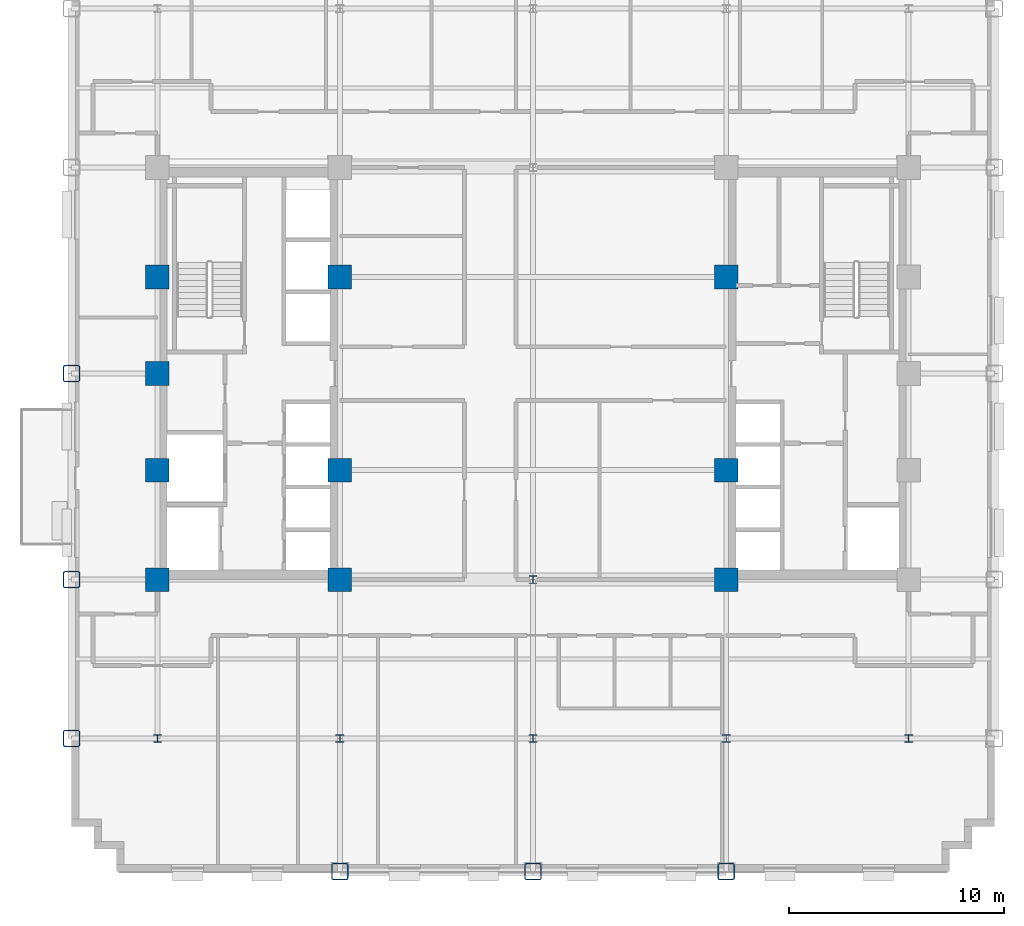
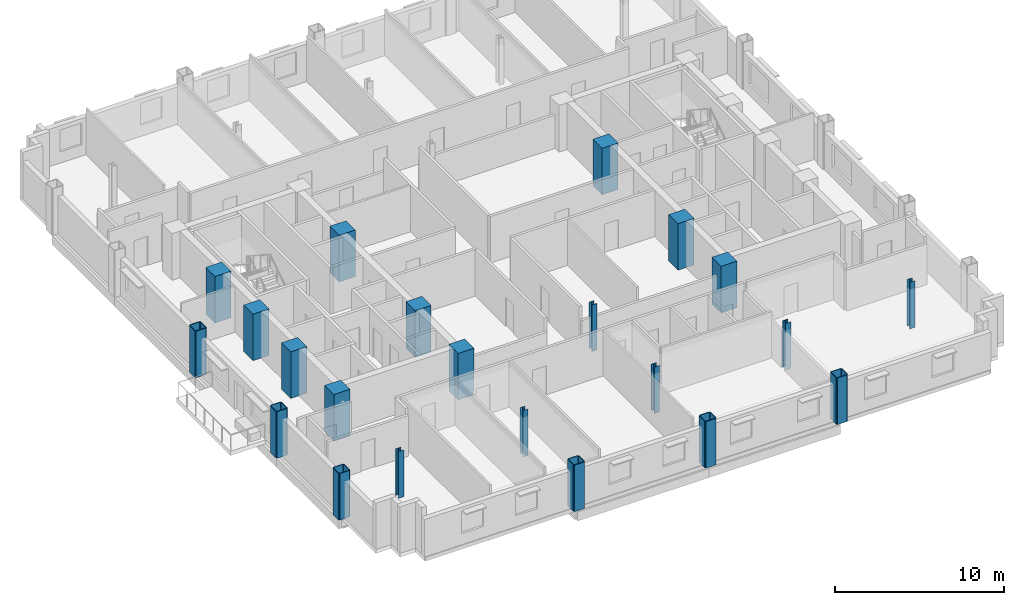
# One storey, part 1 of 14: 22 columns.
"""IFC4 building model written with IfcOpenShell, lengths in metres."""

from ifc_helpers import new_model, si_unit, direction, frame, origin, origin_2d, place, context, subcontext, project, spatial, rectangle, hollow_rectangle, i_section, extrude, material, material_profile, profile_set, type_object, element, save


model = new_model("IFC4")

# Units and contexts
model_context = context("Model", 3, precision=1e-05, world=origin(), true_north=direction((0.0, 1.0)))
body_context = subcontext(model_context, "Body", "Model", "MODEL_VIEW")
ifc_project = project(units=[si_unit("LENGTHUNIT", "METRE"), si_unit("AREAUNIT", "SQUARE_METRE"), si_unit("VOLUMEUNIT", "CUBIC_METRE"), si_unit("PLANEANGLEUNIT", "RADIAN"), si_unit("MASSUNIT", "GRAM", prefix="KILO")], contexts=[model_context])

# Site, building, storey
site_placement = place(None, origin())
site = spatial("IfcSite", under=ifc_project, at=site_placement, CompositionType="ELEMENT")
building_placement = place(site_placement, origin())
building = spatial("IfcBuilding", under=site, at=building_placement, Name="Nuvemarco Arch Tower", CompositionType="ELEMENT")
storey_placement = place(building_placement, frame((0.0, 0.0, 64.10009765625)))
storey = spatial("IfcBuildingStorey", under=building, at=storey_placement, Name="L16", CompositionType="ELEMENT", Elevation=64.10009765625)

# Columns
ifc_material_1 = material(Name="Concrete C60/75", Category="concrete")
ifc_material_profile_1 = material_profile(ifc_material_1, rectangle(XDim=1.10009765625, YDim=1.10009765625, at=origin_2d()), Name="RC-COL-1100x1100")
ifc_profile_set_1 = profile_set([ifc_material_profile_1], Name="Concrete C60/75")
column_type_1 = type_object("IfcColumnType", Name="COL-CORE-1100", PredefinedType="COLUMN", material=ifc_profile_set_1)
for number, where, z_axis, x_axis, name in (
    (1, (-17.5, -9.60009765625, 0.0), (0.0, 0.0, 1.0), (1.0, 0.0, 0.0), "L16 column CC_-17.5_-9.6"),
    (2, (-17.5, -4.5, 0.0), (0.0, 0.0, 1.0), (1.0, 0.0, 0.0), "L16 column CC_-17.5_-4.5"),
    (3, (-17.5, 4.5, 0.0), (0.0, 0.0, 1.0), (1.0, 0.0, 0.0), "L16 column CC_-17.5_+4.5"),
    (4, (-9.0, -9.60009765625, 0.0), (0.0, 0.0, 1.0), (1.0, 0.0, 0.0), "L16 column CC_-9.0_-9.6"),
    (5, (-9.0, -4.5, 0.0), (0.0, 0.0, 1.0), (1.0, 0.0, 0.0), "L16 column CC_-9.0_-4.5"),
    (6, (-9.0, 4.5, 0.0), (0.0, 0.0, 1.0), (1.0, 0.0, 0.0), "L16 column CC_-9.0_+4.5"),
    (7, (9.0, -9.60009765625, 0.0), (0.0, 0.0, 1.0), (1.0, 0.0, 0.0), "L16 column CC_+9.0_-9.6"),
    (8, (9.0, -4.5, 0.0), (0.0, 0.0, 1.0), (1.0, 0.0, 0.0), "L16 column CC_+9.0_-4.5"),
    (9, (9.0, 4.5, 0.0), (0.0, 0.0, 1.0), (1.0, 0.0, 0.0), "L16 column CC_+9.0_+4.5"),
    (10, (-17.5, 0.0, 0.0), (0.0, 0.0, 1.0), (1.0, 0.0, 0.0), "L16 column CC_-17.5_+0.0"),
):
    element("IfcColumn", number, at=place(storey_placement, frame(where, z_axis=z_axis, x_axis=x_axis)), inside=storey, type_object=column_type_1, Name=name, PredefinedType="COLUMN", context=body_context, shape_type="SweptSolid", body=[
        extrude(rectangle(XDim=1.10009765625, YDim=1.10009765625, at=origin_2d()), origin(), (0.0, 0.0, 1.0), 3.369873046875),
    ])
ifc_material_2 = material(Name="Steel S460", Category="steel")
ifc_material_profile_2 = material_profile(ifc_material_2, hollow_rectangle(XDim=0.800048828125, YDim=0.800048828125, WallThickness=0.054931640625, InnerFilletRadius=0.054931640625, OuterFilletRadius=0.110107421875, at=origin_2d()), Name="SHS800x800x55")
ifc_profile_set_2 = profile_set([ifc_material_profile_2], Name="Steel S460")
column_type_2 = type_object("IfcColumnType", Name="COL-EXO-800", PredefinedType="COLUMN", material=ifc_profile_set_2)
for number, where, z_axis, x_axis, name in (
    (11, (-21.5, -17.0, 0.0), (0.0, 0.0, 1.0), (1.0, 0.0, 0.0), "L16 column CX_-21.5_-17.0"),
    (12, (-21.5, -9.60009765625, 0.0), (0.0, 0.0, 1.0), (1.0, 0.0, 0.0), "L16 column CX_-21.5_-9.6"),
    (13, (-21.5, 0.0, 0.0), (0.0, 0.0, 1.0), (1.0, 0.0, 0.0), "L16 column CX_-21.5_+0.0"),
    (14, (-9.0, -23.199951171875, 0.0), (0.0, 0.0, 1.0), (1.0, 0.0, 0.0), "L16 column CY_-9.0_-23.2"),
    (15, (0.0, -23.199951171875, 0.0), (0.0, 0.0, 1.0), (1.0, 0.0, 0.0), "L16 column CY_+0.0_-23.2"),
    (16, (9.0, -23.199951171875, 0.0), (0.0, 0.0, 1.0), (1.0, 0.0, 0.0), "L16 column CY_+9.0_-23.2"),
):
    element("IfcColumn", number, at=place(storey_placement, frame(where, z_axis=z_axis, x_axis=x_axis)), inside=storey, type_object=column_type_2, Name=name, PredefinedType="COLUMN", context=body_context, shape_type="SweptSolid", body=[
        extrude(hollow_rectangle(XDim=0.800048828125, YDim=0.800048828125, WallThickness=0.054931640625, InnerFilletRadius=0.054931640625, OuterFilletRadius=0.110107421875, at=origin_2d()), origin(), (0.0, 0.0, 1.0), 3.369873046875),
    ])
ifc_material_3 = material(Name="Steel S355", Category="steel")
ifc_material_profile_3 = material_profile(ifc_material_3, i_section(OverallWidth=0.360107421875, OverallDepth=0.360107421875, WebThickness=0.0205078125, FlangeThickness=0.0205078125, FilletRadius=0.01806640625, at=origin_2d()), Name="HP360x174")
ifc_profile_set_3 = profile_set([ifc_material_profile_3], Name="Steel S355")
column_type_3 = type_object("IfcColumnType", Name="COL-STL-HP360", PredefinedType="COLUMN", material=ifc_profile_set_3)
for number, where, z_axis, x_axis, name in (
    (17, (0.0, -17.0, 0.0), (0.0, 0.0, 1.0), (1.0, 0.0, 0.0), "L16 column CI_+0.0_-17.0"),
    (18, (0.0, -9.60009765625, 0.0), (0.0, 0.0, 1.0), (1.0, 0.0, 0.0), "L16 column CI_+0.0_-9.6"),
    (19, (-17.5, -17.0, 0.0), (0.0, 0.0, 1.0), (1.0, 0.0, 0.0), "L16 column CI_-17.5_-17.0"),
    (20, (-9.0, -17.0, 0.0), (0.0, 0.0, 1.0), (1.0, 0.0, 0.0), "L16 column CI_-9.0_-17.0"),
    (21, (9.0, -17.0, 0.0), (0.0, 0.0, 1.0), (1.0, 0.0, 0.0), "L16 column CI_+9.0_-17.0"),
    (22, (17.5, -17.0, 0.0), (0.0, 0.0, 1.0), (1.0, 0.0, 0.0), "L16 column CI_+17.5_-17.0"),
):
    element("IfcColumn", number, at=place(storey_placement, frame(where, z_axis=z_axis, x_axis=x_axis)), inside=storey, type_object=column_type_3, Name=name, PredefinedType="COLUMN", context=body_context, shape_type="SweptSolid", body=[
        extrude(i_section(OverallWidth=0.360107421875, OverallDepth=0.360107421875, WebThickness=0.0205078125, FlangeThickness=0.0205078125, FilletRadius=0.01806640625, at=origin_2d()), origin(), (0.0, 0.0, 1.0), 3.369873046875),
    ])

save(model, "model.ifc")
